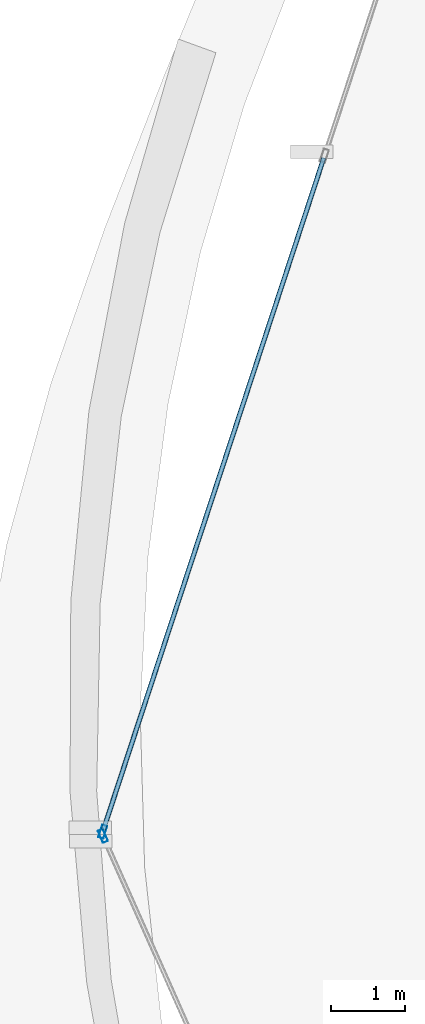
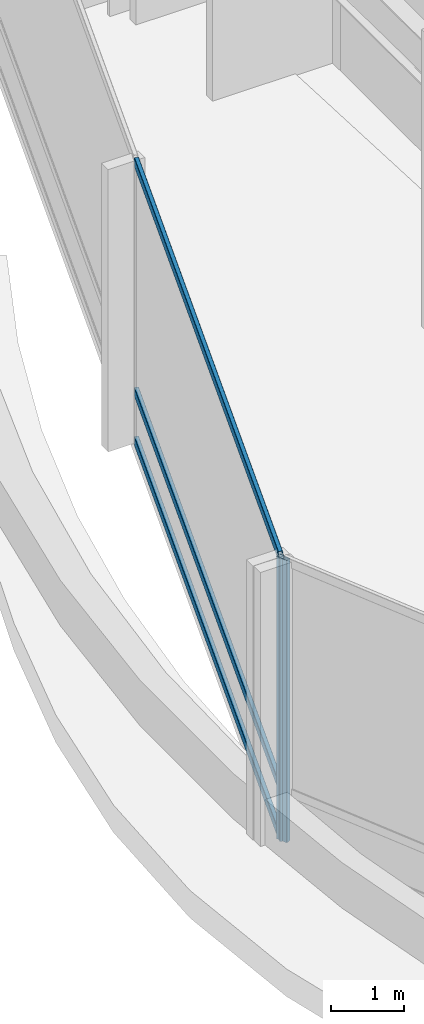
# One storey, part 7 of 33: 5 members, 2 elements without a shape of their own.
"""IFC4 building model written with IfcOpenShell, lengths in metres."""

from ifc_helpers import new_model, si_unit, direction, frame, origin, origin_2d, place, context, subcontext, project, spatial, hollow_rectangle, extrude, material, layer, layer_set, material_profile, profile_set, type_object, element, aggregate, save


model = new_model("IFC4")

# Units and contexts
model_context = context("Model", 3, precision=1e-05, world=origin(), true_north=direction((0.0, 1.0)))
body_context = subcontext(model_context, "Body", "Model", "MODEL_VIEW")
ifc_project = project(units=[si_unit("LENGTHUNIT", "METRE"), si_unit("AREAUNIT", "SQUARE_METRE"), si_unit("VOLUMEUNIT", "CUBIC_METRE"), si_unit("PLANEANGLEUNIT", "RADIAN"), si_unit("MASSUNIT", "GRAM", prefix="KILO")], contexts=[model_context])

# Site, building, storey
site_placement = place(None, origin())
site = spatial("IfcSite", under=ifc_project, at=site_placement, CompositionType="ELEMENT")
building_placement = place(site_placement, origin())
building = spatial("IfcBuilding", under=site, at=building_placement, Name="Solvaryn Broadcast Tower", CompositionType="ELEMENT")
storey_placement = place(building_placement, frame((0.0, 0.0, 105.0)))
storey = spatial("IfcBuildingStorey", under=building, at=storey_placement, Name="L25", CompositionType="ELEMENT", Elevation=105.0)

# Curtain wall, member
ifc_material_1 = material(Name="Aluminium and Terracotta Unitised Curtain Wall", Category="masonry")
ifc_layer = layer(ifc_material_1, 0.25)
ifc_layer_set = layer_set([ifc_layer], Name="CW-SYS4-SKYGARDEN")
curtain_wall_type = type_object("IfcCurtainWallType", Name="CW-SYS4-SKYGARDEN", PredefinedType="NOTDEFINED", material=ifc_layer_set)
curtain_wall_1_placement = place(storey_placement, origin())
curtain_wall_1 = element("IfcCurtainWall", 1, at=curtain_wall_1_placement, inside=storey, type_object=curtain_wall_type, Name="L25 Curtain Wall DR1", PredefinedType="NOTDEFINED")
ifc_material_2 = material(Name="Anodised Aluminium 6063-T6", Category="aluminium")
ifc_material_profile_1 = material_profile(ifc_material_2, hollow_rectangle(XDim=0.074951171875, YDim=0.179931640625, WallThickness=0.00390625, InnerFilletRadius=0.00390625, OuterFilletRadius=0.008056640625, at=origin_2d()))
ifc_profile_set_1 = profile_set([ifc_material_profile_1], Name="Anodised Aluminium 6063-T6")
member_type_1 = type_object("IfcMemberType", Name="CW-MUL-180", PredefinedType="MULLION", material=ifc_profile_set_1)
member_1_placement = place(storey_placement, frame((1.04345703125, 26.66455078125, 0.0), z_axis=(0.0, 0.0, 1.0), x_axis=(0.950198260794, -0.311646057547, 0.0)))
member_1 = element("IfcMember", 2, at=member_1_placement, type_object=member_type_1, Name="CWS4 mullion 3", PredefinedType="MULLION", context=body_context, shape_type="SweptSolid", body=[
    extrude(hollow_rectangle(XDim=0.074951171875, YDim=0.179931640625, WallThickness=0.00390625, InnerFilletRadius=0.00390625, OuterFilletRadius=0.008056640625, at=origin_2d()), origin(), (0.0, 0.0, 1.0), 4.719970703125),
])

curtain_wall_2_placement = place(storey_placement, origin())
curtain_wall_2 = element("IfcCurtainWall", 3, at=curtain_wall_2_placement, inside=storey, type_object=curtain_wall_type, Name="L25 Curtain Wall DR2", PredefinedType="NOTDEFINED")
member_2_placement = place(storey_placement, frame((1.046142578125, 26.608642578125, 0.0), z_axis=(0.0, 0.0, 1.0), x_axis=(0.913909311008, 0.405918429309, 0.0)))
member_2 = element("IfcMember", 4, at=member_2_placement, type_object=member_type_1, Name="CWS4 mullion 1", PredefinedType="MULLION", context=body_context, shape_type="SweptSolid", body=[
    extrude(hollow_rectangle(XDim=0.074951171875, YDim=0.179931640625, WallThickness=0.00390625, InnerFilletRadius=0.00390625, OuterFilletRadius=0.008056640625, at=origin_2d()), origin(), (0.0, 0.0, 1.0), 4.719970703125),
])
aggregate(curtain_wall_2, [member_2])

# Member
ifc_material_3 = material(Name="Anodised Aluminium 6063-T6", Category="aluminium")
ifc_material_profile_2 = material_profile(ifc_material_3, hollow_rectangle(XDim=0.06494140625, YDim=0.14990234375, WallThickness=0.00390625, InnerFilletRadius=0.00390625, OuterFilletRadius=0.008056640625, at=origin_2d()))
ifc_profile_set_2 = profile_set([ifc_material_profile_2], Name="Anodised Aluminium 6063-T6")
member_type_2 = type_object("IfcMemberType", Name="CW-TRN-150", PredefinedType="USERDEFINED", material=ifc_profile_set_2)
member_3_placement = place(storey_placement, frame((4.047119140625, 35.822998046875, 0.030029296875), z_axis=(-0.311642815061, -0.950199324258, 0.0), x_axis=(0.950199324258, -0.311642815061, 0.0)))
member_3 = element("IfcMember", 5, at=member_3_placement, type_object=member_type_2, Name="CWS4 transom 2.1", ObjectType="TRANSOM", PredefinedType="USERDEFINED", context=body_context, shape_type="SweptSolid", body=[
    extrude(hollow_rectangle(XDim=0.06494140625, YDim=0.14990234375, WallThickness=0.00390625, InnerFilletRadius=0.00390625, OuterFilletRadius=0.008056640625, at=origin_2d()), origin(), (0.0, 0.0, 1.0), 9.6083984375),
])

member_4_placement = place(storey_placement, frame((4.047119140625, 35.822998046875, 0.85009765625), z_axis=(-0.311642815061, -0.950199324258, 0.0), x_axis=(0.950199324258, -0.311642815061, 0.0)))
member_4 = element("IfcMember", 6, at=member_4_placement, type_object=member_type_2, Name="CWS4 transom 2.2", ObjectType="TRANSOM", PredefinedType="USERDEFINED", context=body_context, shape_type="SweptSolid", body=[
    extrude(hollow_rectangle(XDim=0.06494140625, YDim=0.14990234375, WallThickness=0.00390625, InnerFilletRadius=0.00390625, OuterFilletRadius=0.008056640625, at=origin_2d()), origin(), (0.0, 0.0, 1.0), 9.6083984375),
])

member_5_placement = place(storey_placement, frame((4.047119140625, 35.822998046875, 4.68994140625), z_axis=(-0.311642815061, -0.950199324258, 0.0), x_axis=(0.950199324258, -0.311642815061, 0.0)))
member_5 = element("IfcMember", 7, at=member_5_placement, type_object=member_type_2, Name="CWS4 transom 2.3", ObjectType="TRANSOM", PredefinedType="USERDEFINED", context=body_context, shape_type="SweptSolid", body=[
    extrude(hollow_rectangle(XDim=0.06494140625, YDim=0.14990234375, WallThickness=0.00390625, InnerFilletRadius=0.00390625, OuterFilletRadius=0.008056640625, at=origin_2d()), origin(), (0.0, 0.0, 1.0), 9.6083984375),
])

aggregate(curtain_wall_1, [member_1, member_3, member_4, member_5])

save(model, "model.ifc")
